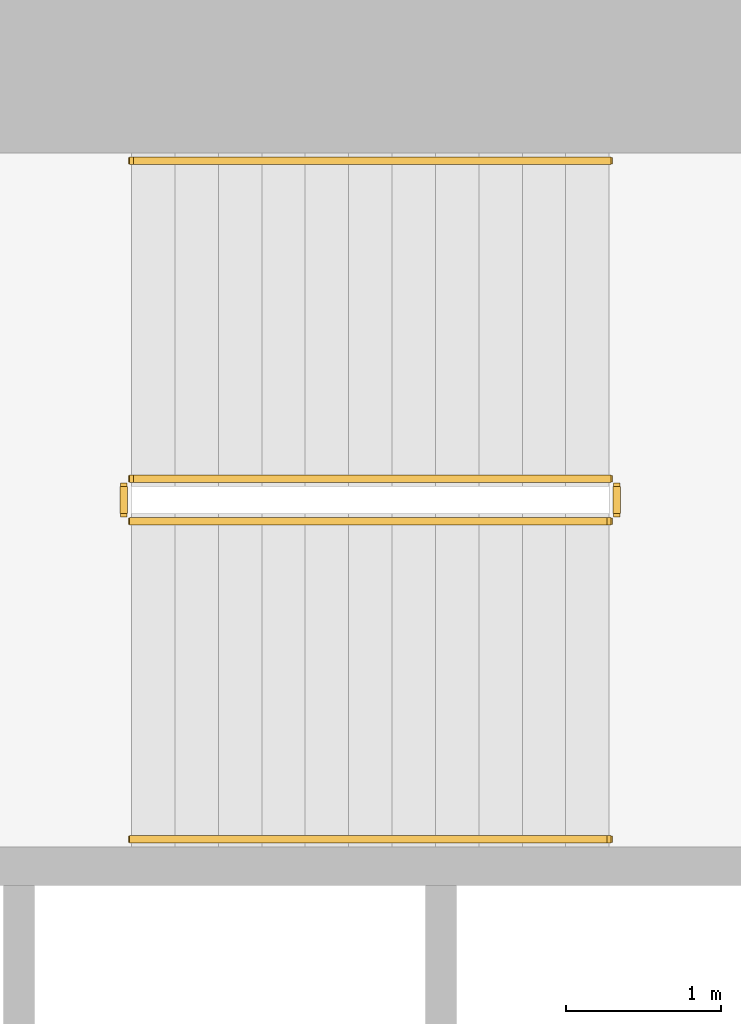
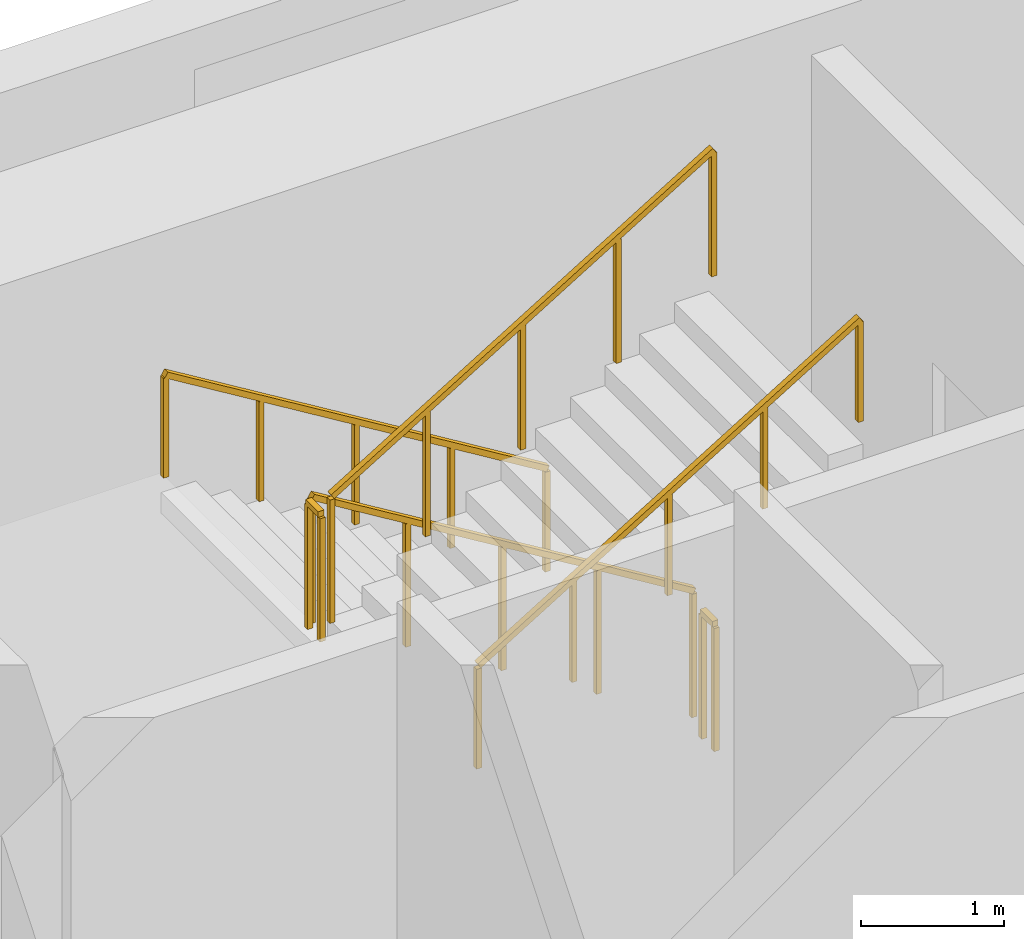
# One storey, part 13 of 14: 6 railings.
"""IFC4 building model written with IfcOpenShell, lengths in metres."""

from ifc_helpers import new_model, si_unit, direction, frame, origin, origin_2d, place, context, subcontext, project, spatial, rectangle, extrude, material, type_object, element, save


model = new_model("IFC4")

# Units and contexts
model_context = context("Model", 3, precision=1e-05, world=origin(), true_north=direction((0.0, 1.0)))
body_context = subcontext(model_context, "Body", "Model", "MODEL_VIEW")
ifc_project = project(units=[si_unit("LENGTHUNIT", "METRE"), si_unit("AREAUNIT", "SQUARE_METRE"), si_unit("VOLUMEUNIT", "CUBIC_METRE"), si_unit("PLANEANGLEUNIT", "RADIAN"), si_unit("MASSUNIT", "GRAM", prefix="KILO")], contexts=[model_context])

# Site, building, storey
site_placement = place(None, origin())
site = spatial("IfcSite", under=ifc_project, at=site_placement, CompositionType="ELEMENT")
building_placement = place(site_placement, origin())
building = spatial("IfcBuilding", under=site, at=building_placement, Name="Cypress Arch Tower", CompositionType="ELEMENT")
storey_placement = place(building_placement, frame((0.0, 0.0, 255.699951171875)))
storey = spatial("IfcBuildingStorey", under=building, at=storey_placement, Name="L57", CompositionType="ELEMENT", Elevation=255.699951171875)

# Railings
ifc_material_1 = material(Name="Black powder-coated steel square bar 48 mm", Category="steel")
railing_type_1 = type_object("IfcRailingType", Name="Stair handrail HR1", PredefinedType="HANDRAIL", material=ifc_material_1)
railing_1_placement = place(storey_placement, frame((-22.27490234375, 14.75, 0.1708984375)))
element("IfcRailing", 1, at=railing_1_placement, inside=storey, type_object=railing_type_1, Name="L57 B stair handrail 1", PredefinedType="HANDRAIL", context=body_context, shape_type="SweptSolid", body=[
    extrude(rectangle(XDim=0.048095703125, YDim=0.048095703125, at=origin_2d()), frame((0.0, 0.0, 0.8759765625), z_axis=(-0.853666305674, 0.0, 0.52082035152), x_axis=(0.0, -1.0, 0.0)), (0.0, 0.0, 1.0), 3.608154296875),
    extrude(rectangle(XDim=0.0419921875, YDim=0.0419921875, at=origin_2d()), origin(), (0.0, 0.0, 1.0), 0.851806640625),
    extrude(rectangle(XDim=0.0419921875, YDim=0.0419921875, at=origin_2d()), frame((-0.77001953125, 0.0, 0.4697265625)), (0.0, 0.0, 1.0), 0.851806640625),
    extrude(rectangle(XDim=0.0419921875, YDim=0.0419921875, at=origin_2d()), frame((-1.5400390625, 0.0, 0.939453125)), (0.0, 0.0, 1.0), 0.851806640625),
    extrude(rectangle(XDim=0.0419921875, YDim=0.0419921875, at=origin_2d()), frame((-2.31005859375, 0.0, 1.409423828125)), (0.0, 0.0, 1.0), 0.851806640625),
    extrude(rectangle(XDim=0.0419921875, YDim=0.0419921875, at=origin_2d()), frame((-3.080078125, 0.0, 1.879150390625)), (0.0, 0.0, 1.0), 0.851806640625),
])
railing_2_placement = place(storey_placement, frame((-25.35498046875, 10.375, 2.220947265625)))
element("IfcRailing", 2, at=railing_2_placement, inside=storey, type_object=railing_type_1, Name="L57 B stair handrail 2", PredefinedType="HANDRAIL", context=body_context, shape_type="SweptSolid", body=[
    extrude(rectangle(XDim=0.048095703125, YDim=0.048095703125, at=origin_2d()), frame((0.0, 0.0, 0.8759765625), z_axis=(0.853666305674, 0.0, 0.52082035152), x_axis=(0.0, 1.0, 0.0)), (0.0, 0.0, 1.0), 3.608154296875),
    extrude(rectangle(XDim=0.0419921875, YDim=0.0419921875, at=origin_2d()), origin(), (0.0, 0.0, 1.0), 0.851806640625),
    extrude(rectangle(XDim=0.0419921875, YDim=0.0419921875, at=origin_2d()), frame((0.77001953125, 0.0, 0.4697265625)), (0.0, 0.0, 1.0), 0.851806640625),
    extrude(rectangle(XDim=0.0419921875, YDim=0.0419921875, at=origin_2d()), frame((1.5400390625, 0.0, 0.939453125)), (0.0, 0.0, 1.0), 0.851806640625),
    extrude(rectangle(XDim=0.0419921875, YDim=0.0419921875, at=origin_2d()), frame((2.31005859375, 0.0, 1.409423828125)), (0.0, 0.0, 1.0), 0.851806640625),
    extrude(rectangle(XDim=0.0419921875, YDim=0.0419921875, at=origin_2d()), frame((3.080078125, 0.0, 1.879150390625)), (0.0, 0.0, 1.0), 0.851806640625),
])
ifc_material_2 = material(Name="Black powder-coated steel balusters", Category="steel")
railing_type_2 = type_object("IfcRailingType", Name="Stair well guard G1", PredefinedType="GUARDRAIL", material=ifc_material_2)
railing_3_placement = place(storey_placement, frame((-22.27490234375, 12.699951171875, 0.1708984375)))
element("IfcRailing", 3, at=railing_3_placement, inside=storey, type_object=railing_type_2, Name="L57 B stair guard 1", PredefinedType="GUARDRAIL", context=body_context, shape_type="SweptSolid", body=[
    extrude(rectangle(XDim=0.048095703125, YDim=0.048095703125, at=origin_2d()), frame((0.0, 0.0, 1.076171875), z_axis=(-0.853666305674, 0.0, 0.52082035152), x_axis=(0.0, -1.0, 0.0)), (0.0, 0.0, 1.0), 3.608154296875),
    extrude(rectangle(XDim=0.0419921875, YDim=0.0419921875, at=origin_2d()), origin(), (0.0, 0.0, 1.0), 1.052001953125),
    extrude(rectangle(XDim=0.0419921875, YDim=0.0419921875, at=origin_2d()), frame((-0.77001953125, 0.0, 0.4697265625)), (0.0, 0.0, 1.0), 1.052001953125),
    extrude(rectangle(XDim=0.0419921875, YDim=0.0419921875, at=origin_2d()), frame((-1.5400390625, 0.0, 0.939453125)), (0.0, 0.0, 1.0), 1.052001953125),
    extrude(rectangle(XDim=0.0419921875, YDim=0.0419921875, at=origin_2d()), frame((-2.31005859375, 0.0, 1.409423828125)), (0.0, 0.0, 1.0), 1.052001953125),
    extrude(rectangle(XDim=0.0419921875, YDim=0.0419921875, at=origin_2d()), frame((-3.080078125, 0.0, 1.879150390625)), (0.0, 0.0, 1.0), 1.052001953125),
])
railing_4_placement = place(storey_placement, frame((-25.405029296875, 12.64990234375, 2.050048828125)))
element("IfcRailing", 4, at=railing_4_placement, inside=storey, type_object=railing_type_2, Name="L57 B stair guard 2", PredefinedType="GUARDRAIL", context=body_context, shape_type="SweptSolid", body=[
    extrude(rectangle(XDim=0.048095703125, YDim=0.048095703125, at=origin_2d()), frame((0.0, 0.0, 1.076171875), z_axis=(0.0, -1.0, 0.0), x_axis=(1.0, 0.0, 0.0)), (0.0, 0.0, 1.0), 0.1748046875),
    extrude(rectangle(XDim=0.0419921875, YDim=0.0419921875, at=origin_2d()), origin(), (0.0, 0.0, 1.0), 1.052001953125),
    extrude(rectangle(XDim=0.0419921875, YDim=0.0419921875, at=origin_2d()), frame((0.0, -0.1748046875, 0.0)), (0.0, 0.0, 1.0), 1.052001953125),
])
railing_5_placement = place(storey_placement, frame((-25.35498046875, 12.425048828125, 2.220947265625)))
element("IfcRailing", 5, at=railing_5_placement, inside=storey, type_object=railing_type_2, Name="L57 B stair guard 3", PredefinedType="GUARDRAIL", context=body_context, shape_type="SweptSolid", body=[
    extrude(rectangle(XDim=0.048095703125, YDim=0.048095703125, at=origin_2d()), frame((0.0, 0.0, 1.076171875), z_axis=(0.853666305674, 0.0, 0.52082035152), x_axis=(0.0, 1.0, 0.0)), (0.0, 0.0, 1.0), 3.608154296875),
    extrude(rectangle(XDim=0.0419921875, YDim=0.0419921875, at=origin_2d()), origin(), (0.0, 0.0, 1.0), 1.052001953125),
    extrude(rectangle(XDim=0.0419921875, YDim=0.0419921875, at=origin_2d()), frame((0.77001953125, 0.0, 0.4697265625)), (0.0, 0.0, 1.0), 1.052001953125),
    extrude(rectangle(XDim=0.0419921875, YDim=0.0419921875, at=origin_2d()), frame((1.5400390625, 0.0, 0.939453125)), (0.0, 0.0, 1.0), 1.052001953125),
    extrude(rectangle(XDim=0.0419921875, YDim=0.0419921875, at=origin_2d()), frame((2.31005859375, 0.0, 1.409423828125)), (0.0, 0.0, 1.0), 1.052001953125),
    extrude(rectangle(XDim=0.0419921875, YDim=0.0419921875, at=origin_2d()), frame((3.080078125, 0.0, 1.879150390625)), (0.0, 0.0, 1.0), 1.052001953125),
])
railing_6_placement = place(storey_placement, frame((-22.22509765625, 12.64990234375, 0.0)))
element("IfcRailing", 6, at=railing_6_placement, inside=storey, type_object=railing_type_2, Name="L57 B stair guard 4", PredefinedType="GUARDRAIL", context=body_context, shape_type="SweptSolid", body=[
    extrude(rectangle(XDim=0.048095703125, YDim=0.048095703125, at=origin_2d()), frame((0.0, 0.0, 1.076171875), z_axis=(0.0, -1.0, 0.0), x_axis=(1.0, 0.0, 0.0)), (0.0, 0.0, 1.0), 0.1748046875),
    extrude(rectangle(XDim=0.0419921875, YDim=0.0419921875, at=origin_2d()), origin(), (0.0, 0.0, 1.0), 1.052001953125),
    extrude(rectangle(XDim=0.0419921875, YDim=0.0419921875, at=origin_2d()), frame((0.0, -0.1748046875, 0.0)), (0.0, 0.0, 1.0), 1.052001953125),
])

save(model, "model.ifc")
